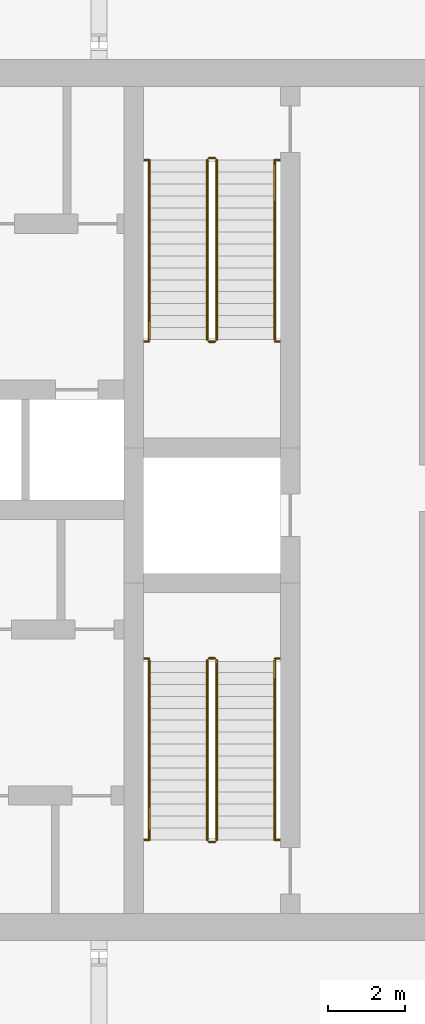
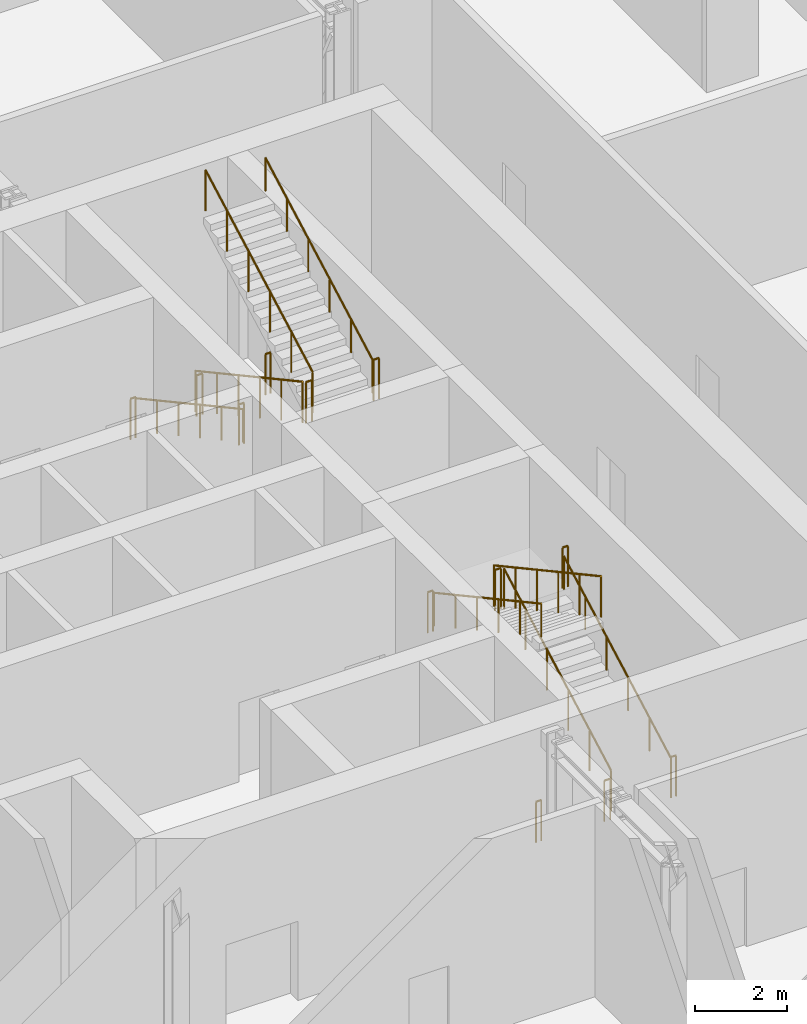
# One storey, part 21 of 22: 20 railings.
"""IFC4 building model written with IfcOpenShell, lengths in metres."""

from ifc_helpers import new_model, si_unit, direction, frame, origin, origin_2d, place, context, subcontext, project, spatial, circle, extrude, material, type_object, element, save


model = new_model("IFC4")

# Units and contexts
model_context = context("Model", 3, precision=1e-05, world=origin(), true_north=direction((0.0, 1.0)))
body_context = subcontext(model_context, "Body", "Model", "MODEL_VIEW")
ifc_project = project(units=[si_unit("LENGTHUNIT", "METRE"), si_unit("AREAUNIT", "SQUARE_METRE"), si_unit("VOLUMEUNIT", "CUBIC_METRE"), si_unit("PLANEANGLEUNIT", "RADIAN"), si_unit("MASSUNIT", "GRAM", prefix="KILO")], contexts=[model_context])

# Site, building, storey
site_placement = place(None, origin())
site = spatial("IfcSite", under=ifc_project, at=site_placement, CompositionType="ELEMENT")
building_placement = place(site_placement, origin())
building = spatial("IfcBuilding", under=site, at=building_placement, Name="Madar Terraces", CompositionType="ELEMENT")
storey_placement = place(building_placement, frame((0.0, 0.0, 203.39990234375)))
storey = spatial("IfcBuildingStorey", under=building, at=storey_placement, Name="L53", CompositionType="ELEMENT", Elevation=203.39990234375)

# Railings
ifc_material_1 = material(Name="Stainless steel railing", Category="steel")
railing_type_1 = type_object("IfcRailingType", Name="Stair guard 1100", PredefinedType="GUARDRAIL", material=ifc_material_1)
railing_1_placement = place(storey_placement, frame((41.199951171875, 35.199951171875, 0.1689453125)))
element("IfcRailing", 1, at=railing_1_placement, inside=storey, type_object=railing_type_1, Name="L53 ST2 stair guard 1", PredefinedType="GUARDRAIL", context=body_context, shape_type="SweptSolid", body=[
    extrude(circle(Radius=0.02392578125, at=origin_2d()), frame((0.0, 0.0, 1.076171875), z_axis=(0.0, -0.878297076953, 0.478115304728), x_axis=(1.0, 0.0, 0.0)), (0.0, 0.0, 1.0), 5.294189453125),
    extrude(circle(Radius=0.02099609375, at=origin_2d()), origin(), (0.0, 0.0, 1.0), 1.052001953125),
    extrude(circle(Radius=0.02099609375, at=origin_2d()), frame((0.0, -0.929931640625, 0.50634765625)), (0.0, 0.0, 1.0), 1.052001953125),
    extrude(circle(Radius=0.02099609375, at=origin_2d()), frame((0.0, -1.85986328125, 1.012451171875)), (0.0, 0.0, 1.0), 1.052001953125),
    extrude(circle(Radius=0.02099609375, at=origin_2d()), frame((0.0, -2.7900390625, 1.518798828125)), (0.0, 0.0, 1.0), 1.052001953125),
    extrude(circle(Radius=0.02099609375, at=origin_2d()), frame((0.0, -3.719970703125, 2.02490234375)), (0.0, 0.0, 1.0), 1.052001953125),
    extrude(circle(Radius=0.02099609375, at=origin_2d()), frame((0.0, -4.64990234375, 2.53125)), (0.0, 0.0, 1.0), 1.052001953125),
])
railing_2_placement = place(storey_placement, frame((41.25, 30.5, 2.7001953125)))
element("IfcRailing", 2, at=railing_2_placement, inside=storey, type_object=railing_type_1, Name="L53 ST2 stair guard 2", PredefinedType="GUARDRAIL", context=body_context, shape_type="SweptSolid", body=[
    extrude(circle(Radius=0.02392578125, at=origin_2d()), frame((0.0, 0.0, 1.076171875), z_axis=(1.0, 0.0, 0.0), x_axis=(0.0, 1.0, 0.0)), (0.0, 0.0, 1.0), 0.14990234375),
    extrude(circle(Radius=0.02099609375, at=origin_2d()), origin(), (0.0, 0.0, 1.0), 1.052001953125),
    extrude(circle(Radius=0.02099609375, at=origin_2d()), frame((0.14990234375, 0.0, 0.0)), (0.0, 0.0, 1.0), 1.052001953125),
])
railing_3_placement = place(storey_placement, frame((41.449951171875, 30.550048828125, 2.868896484375)))
element("IfcRailing", 3, at=railing_3_placement, inside=storey, type_object=railing_type_1, Name="L53 ST2 stair guard 3", PredefinedType="GUARDRAIL", context=body_context, shape_type="SweptSolid", body=[
    extrude(circle(Radius=0.02392578125, at=origin_2d()), frame((0.0, 0.0, 1.076171875), z_axis=(0.0, 0.878297076953, 0.478115304728), x_axis=(-1.0, 0.0, 0.0)), (0.0, 0.0, 1.0), 5.294189453125),
    extrude(circle(Radius=0.02099609375, at=origin_2d()), origin(), (0.0, 0.0, 1.0), 1.052001953125),
    extrude(circle(Radius=0.02099609375, at=origin_2d()), frame((0.0, 0.929931640625, 0.50634765625)), (0.0, 0.0, 1.0), 1.052001953125),
    extrude(circle(Radius=0.02099609375, at=origin_2d()), frame((0.0, 1.85986328125, 1.012451171875)), (0.0, 0.0, 1.0), 1.052001953125),
    extrude(circle(Radius=0.02099609375, at=origin_2d()), frame((0.0, 2.7900390625, 1.518798828125)), (0.0, 0.0, 1.0), 1.052001953125),
    extrude(circle(Radius=0.02099609375, at=origin_2d()), frame((0.0, 3.719970703125, 2.02490234375)), (0.0, 0.0, 1.0), 1.052001953125),
    extrude(circle(Radius=0.02099609375, at=origin_2d()), frame((0.0, 4.64990234375, 2.53125)), (0.0, 0.0, 1.0), 1.052001953125),
])
railing_4_placement = place(storey_placement, frame((41.25, 35.25, 0.0)))
element("IfcRailing", 4, at=railing_4_placement, inside=storey, type_object=railing_type_1, Name="L53 ST2 stair guard 4", PredefinedType="GUARDRAIL", context=body_context, shape_type="SweptSolid", body=[
    extrude(circle(Radius=0.02392578125, at=origin_2d()), frame((0.0, 0.0, 1.076171875), z_axis=(1.0, 0.0, 0.0), x_axis=(0.0, 1.0, 0.0)), (0.0, 0.0, 1.0), 0.14990234375),
    extrude(circle(Radius=0.02099609375, at=origin_2d()), origin(), (0.0, 0.0, 1.0), 1.052001953125),
    extrude(circle(Radius=0.02099609375, at=origin_2d()), frame((0.14990234375, 0.0, 0.0)), (0.0, 0.0, 1.0), 1.052001953125),
])
railing_5_placement = place(storey_placement, frame((41.449951171875, 17.60009765625, 0.1689453125)))
element("IfcRailing", 5, at=railing_5_placement, inside=storey, type_object=railing_type_1, Name="L53 ST3 stair guard 1", PredefinedType="GUARDRAIL", context=body_context, shape_type="SweptSolid", body=[
    extrude(circle(Radius=0.02392578125, at=origin_2d()), frame((0.0, 0.0, 1.076171875), z_axis=(0.0, 0.878297076953, 0.478115304728), x_axis=(-1.0, 0.0, 0.0)), (0.0, 0.0, 1.0), 5.294189453125),
    extrude(circle(Radius=0.02099609375, at=origin_2d()), origin(), (0.0, 0.0, 1.0), 1.052001953125),
    extrude(circle(Radius=0.02099609375, at=origin_2d()), frame((0.0, 0.929931640625, 0.50634765625)), (0.0, 0.0, 1.0), 1.052001953125),
    extrude(circle(Radius=0.02099609375, at=origin_2d()), frame((0.0, 1.85986328125, 1.012451171875)), (0.0, 0.0, 1.0), 1.052001953125),
    extrude(circle(Radius=0.02099609375, at=origin_2d()), frame((0.0, 2.7900390625, 1.518798828125)), (0.0, 0.0, 1.0), 1.052001953125),
    extrude(circle(Radius=0.02099609375, at=origin_2d()), frame((0.0, 3.719970703125, 2.02490234375)), (0.0, 0.0, 1.0), 1.052001953125),
    extrude(circle(Radius=0.02099609375, at=origin_2d()), frame((0.0, 4.64990234375, 2.53125)), (0.0, 0.0, 1.0), 1.052001953125),
])
railing_6_placement = place(storey_placement, frame((41.39990234375, 22.300048828125, 2.7001953125)))
element("IfcRailing", 6, at=railing_6_placement, inside=storey, type_object=railing_type_1, Name="L53 ST3 stair guard 2", PredefinedType="GUARDRAIL", context=body_context, shape_type="SweptSolid", body=[
    extrude(circle(Radius=0.02392578125, at=origin_2d()), frame((0.0, 0.0, 1.076171875), z_axis=(-1.0, 0.0, 0.0), x_axis=(0.0, -1.0, 0.0)), (0.0, 0.0, 1.0), 0.14990234375),
    extrude(circle(Radius=0.02099609375, at=origin_2d()), origin(), (0.0, 0.0, 1.0), 1.052001953125),
    extrude(circle(Radius=0.02099609375, at=origin_2d()), frame((-0.14990234375, 0.0, 0.0)), (0.0, 0.0, 1.0), 1.052001953125),
])
railing_7_placement = place(storey_placement, frame((41.199951171875, 22.25, 2.868896484375)))
element("IfcRailing", 7, at=railing_7_placement, inside=storey, type_object=railing_type_1, Name="L53 ST3 stair guard 3", PredefinedType="GUARDRAIL", context=body_context, shape_type="SweptSolid", body=[
    extrude(circle(Radius=0.02392578125, at=origin_2d()), frame((0.0, 0.0, 1.076171875), z_axis=(0.0, -0.878297076953, 0.478115304728), x_axis=(1.0, 0.0, 0.0)), (0.0, 0.0, 1.0), 5.294189453125),
    extrude(circle(Radius=0.02099609375, at=origin_2d()), origin(), (0.0, 0.0, 1.0), 1.052001953125),
    extrude(circle(Radius=0.02099609375, at=origin_2d()), frame((0.0, -0.929931640625, 0.50634765625)), (0.0, 0.0, 1.0), 1.052001953125),
    extrude(circle(Radius=0.02099609375, at=origin_2d()), frame((0.0, -1.85986328125, 1.012451171875)), (0.0, 0.0, 1.0), 1.052001953125),
    extrude(circle(Radius=0.02099609375, at=origin_2d()), frame((0.0, -2.7900390625, 1.518798828125)), (0.0, 0.0, 1.0), 1.052001953125),
    extrude(circle(Radius=0.02099609375, at=origin_2d()), frame((0.0, -3.719970703125, 2.02490234375)), (0.0, 0.0, 1.0), 1.052001953125),
    extrude(circle(Radius=0.02099609375, at=origin_2d()), frame((0.0, -4.64990234375, 2.53125)), (0.0, 0.0, 1.0), 1.052001953125),
])
railing_8_placement = place(storey_placement, frame((41.39990234375, 17.550048828125, 0.0)))
element("IfcRailing", 8, at=railing_8_placement, inside=storey, type_object=railing_type_1, Name="L53 ST3 stair guard 4", PredefinedType="GUARDRAIL", context=body_context, shape_type="SweptSolid", body=[
    extrude(circle(Radius=0.02392578125, at=origin_2d()), frame((0.0, 0.0, 1.076171875), z_axis=(-1.0, 0.0, 0.0), x_axis=(0.0, -1.0, 0.0)), (0.0, 0.0, 1.0), 0.14990234375),
    extrude(circle(Radius=0.02099609375, at=origin_2d()), origin(), (0.0, 0.0, 1.0), 1.052001953125),
    extrude(circle(Radius=0.02099609375, at=origin_2d()), frame((-0.14990234375, 0.0, 0.0)), (0.0, 0.0, 1.0), 1.052001953125),
])
railing_9_placement = place(storey_placement, frame((39.570068359375, 30.5, 2.7001953125)))
element("IfcRailing", 9, at=railing_9_placement, inside=storey, type_object=railing_type_1, Name="L53 stair guard seat 1", PredefinedType="GUARDRAIL", context=body_context, shape_type="SweptSolid", body=[
    extrude(circle(Radius=0.02392578125, at=origin_2d()), frame((0.0, 0.0, 1.076171875), z_axis=(1.0, 0.0, 0.0), x_axis=(0.0, 1.0, 0.0)), (0.0, 0.0, 1.0), 0.1298828125),
    extrude(circle(Radius=0.02099609375, at=origin_2d()), origin(), (0.0, 0.0, 1.0), 1.052001953125),
    extrude(circle(Radius=0.02099609375, at=origin_2d()), frame((0.1298828125, 0.0, 0.0)), (0.0, 0.0, 1.0), 1.052001953125),
])
railing_10_placement = place(storey_placement, frame((42.949951171875, 30.5, 2.7001953125)))
element("IfcRailing", 10, at=railing_10_placement, inside=storey, type_object=railing_type_1, Name="L53 stair guard seat 2", PredefinedType="GUARDRAIL", context=body_context, shape_type="SweptSolid", body=[
    extrude(circle(Radius=0.02392578125, at=origin_2d()), frame((0.0, 0.0, 1.076171875), z_axis=(1.0, 0.0, 0.0), x_axis=(0.0, 1.0, 0.0)), (0.0, 0.0, 1.0), 0.130126953125),
    extrude(circle(Radius=0.02099609375, at=origin_2d()), origin(), (0.0, 0.0, 1.0), 1.052001953125),
    extrude(circle(Radius=0.02099609375, at=origin_2d()), frame((0.130126953125, 0.0, 0.0)), (0.0, 0.0, 1.0), 1.052001953125),
])
railing_11_placement = place(storey_placement, frame((39.570068359375, 22.300048828125, 2.7001953125)))
element("IfcRailing", 11, at=railing_11_placement, inside=storey, type_object=railing_type_1, Name="L53 stair guard seat 1", PredefinedType="GUARDRAIL", context=body_context, shape_type="SweptSolid", body=[
    extrude(circle(Radius=0.02392578125, at=origin_2d()), frame((0.0, 0.0, 1.076171875), z_axis=(1.0, 0.0, 0.0), x_axis=(0.0, 1.0, 0.0)), (0.0, 0.0, 1.0), 0.1298828125),
    extrude(circle(Radius=0.02099609375, at=origin_2d()), origin(), (0.0, 0.0, 1.0), 1.052001953125),
    extrude(circle(Radius=0.02099609375, at=origin_2d()), frame((0.1298828125, 0.0, 0.0)), (0.0, 0.0, 1.0), 1.052001953125),
])
railing_12_placement = place(storey_placement, frame((42.949951171875, 22.300048828125, 2.7001953125)))
element("IfcRailing", 12, at=railing_12_placement, inside=storey, type_object=railing_type_1, Name="L53 stair guard seat 2", PredefinedType="GUARDRAIL", context=body_context, shape_type="SweptSolid", body=[
    extrude(circle(Radius=0.02392578125, at=origin_2d()), frame((0.0, 0.0, 1.076171875), z_axis=(1.0, 0.0, 0.0), x_axis=(0.0, 1.0, 0.0)), (0.0, 0.0, 1.0), 0.130126953125),
    extrude(circle(Radius=0.02099609375, at=origin_2d()), origin(), (0.0, 0.0, 1.0), 1.052001953125),
    extrude(circle(Radius=0.02099609375, at=origin_2d()), frame((0.130126953125, 0.0, 0.0)), (0.0, 0.0, 1.0), 1.052001953125),
])
railing_13_placement = place(storey_placement, frame((39.570068359375, 35.199951171875, 0.0)))
element("IfcRailing", 13, at=railing_13_placement, inside=storey, type_object=railing_type_1, Name="L53 stair guard floor 1", PredefinedType="GUARDRAIL", context=body_context, shape_type="SweptSolid", body=[
    extrude(circle(Radius=0.02392578125, at=origin_2d()), frame((0.0, 0.0, 1.076171875), z_axis=(1.0, 0.0, 0.0), x_axis=(0.0, 1.0, 0.0)), (0.0, 0.0, 1.0), 0.1298828125),
    extrude(circle(Radius=0.02099609375, at=origin_2d()), origin(), (0.0, 0.0, 1.0), 1.052001953125),
    extrude(circle(Radius=0.02099609375, at=origin_2d()), frame((0.1298828125, 0.0, 0.0)), (0.0, 0.0, 1.0), 1.052001953125),
])
railing_14_placement = place(storey_placement, frame((42.949951171875, 35.199951171875, 0.0)))
element("IfcRailing", 14, at=railing_14_placement, inside=storey, type_object=railing_type_1, Name="L53 stair guard floor 2", PredefinedType="GUARDRAIL", context=body_context, shape_type="SweptSolid", body=[
    extrude(circle(Radius=0.02392578125, at=origin_2d()), frame((0.0, 0.0, 1.076171875), z_axis=(1.0, 0.0, 0.0), x_axis=(0.0, 1.0, 0.0)), (0.0, 0.0, 1.0), 0.130126953125),
    extrude(circle(Radius=0.02099609375, at=origin_2d()), origin(), (0.0, 0.0, 1.0), 1.052001953125),
    extrude(circle(Radius=0.02099609375, at=origin_2d()), frame((0.130126953125, 0.0, 0.0)), (0.0, 0.0, 1.0), 1.052001953125),
])
railing_15_placement = place(storey_placement, frame((39.570068359375, 17.60009765625, 0.0)))
element("IfcRailing", 15, at=railing_15_placement, inside=storey, type_object=railing_type_1, Name="L53 stair guard floor 1", PredefinedType="GUARDRAIL", context=body_context, shape_type="SweptSolid", body=[
    extrude(circle(Radius=0.02392578125, at=origin_2d()), frame((0.0, 0.0, 1.076171875), z_axis=(1.0, 0.0, 0.0), x_axis=(0.0, 1.0, 0.0)), (0.0, 0.0, 1.0), 0.1298828125),
    extrude(circle(Radius=0.02099609375, at=origin_2d()), origin(), (0.0, 0.0, 1.0), 1.052001953125),
    extrude(circle(Radius=0.02099609375, at=origin_2d()), frame((0.1298828125, 0.0, 0.0)), (0.0, 0.0, 1.0), 1.052001953125),
])
railing_16_placement = place(storey_placement, frame((42.949951171875, 17.60009765625, 0.0)))
element("IfcRailing", 16, at=railing_16_placement, inside=storey, type_object=railing_type_1, Name="L53 stair guard floor 2", PredefinedType="GUARDRAIL", context=body_context, shape_type="SweptSolid", body=[
    extrude(circle(Radius=0.02392578125, at=origin_2d()), frame((0.0, 0.0, 1.076171875), z_axis=(1.0, 0.0, 0.0), x_axis=(0.0, 1.0, 0.0)), (0.0, 0.0, 1.0), 0.130126953125),
    extrude(circle(Radius=0.02099609375, at=origin_2d()), origin(), (0.0, 0.0, 1.0), 1.052001953125),
    extrude(circle(Radius=0.02099609375, at=origin_2d()), frame((0.130126953125, 0.0, 0.0)), (0.0, 0.0, 1.0), 1.052001953125),
])
ifc_material_2 = material(Name="Stainless steel railing", Category="steel")
railing_type_2 = type_object("IfcRailingType", Name="Stair handrail 900", PredefinedType="HANDRAIL", material=ifc_material_2)
railing_17_placement = place(storey_placement, frame((39.699951171875, 35.199951171875, 0.1689453125)))
element("IfcRailing", 17, at=railing_17_placement, inside=storey, type_object=railing_type_2, Name="L53 ST2 stair handrail 1", PredefinedType="HANDRAIL", context=body_context, shape_type="SweptSolid", body=[
    extrude(circle(Radius=0.02392578125, at=origin_2d()), frame((0.0, 0.0, 0.8759765625), z_axis=(0.0, -0.878297076953, 0.478115304728), x_axis=(1.0, 0.0, 0.0)), (0.0, 0.0, 1.0), 5.294189453125),
    extrude(circle(Radius=0.02099609375, at=origin_2d()), origin(), (0.0, 0.0, 1.0), 0.851806640625),
    extrude(circle(Radius=0.02099609375, at=origin_2d()), frame((0.0, -0.929931640625, 0.50634765625)), (0.0, 0.0, 1.0), 0.851806640625),
    extrude(circle(Radius=0.02099609375, at=origin_2d()), frame((0.0, -1.85986328125, 1.012451171875)), (0.0, 0.0, 1.0), 0.851806640625),
    extrude(circle(Radius=0.02099609375, at=origin_2d()), frame((0.0, -2.7900390625, 1.518798828125)), (0.0, 0.0, 1.0), 0.851806640625),
    extrude(circle(Radius=0.02099609375, at=origin_2d()), frame((0.0, -3.719970703125, 2.02490234375)), (0.0, 0.0, 1.0), 0.851806640625),
    extrude(circle(Radius=0.02099609375, at=origin_2d()), frame((0.0, -4.64990234375, 2.53125)), (0.0, 0.0, 1.0), 0.851806640625),
])
for number, where, name in (
    (18, (42.949951171875, 30.550048828125, 2.868896484375), "L53 ST2 stair handrail 2"),
    (19, (42.949951171875, 17.60009765625, 0.1689453125), "L53 ST3 stair handrail 1"),
):
    element("IfcRailing", number, at=place(storey_placement, frame(where)), inside=storey, type_object=railing_type_2, Name=name, PredefinedType="HANDRAIL", context=body_context, shape_type="SweptSolid", body=[
        extrude(circle(Radius=0.02392578125, at=origin_2d()), frame((0.0, 0.0, 0.8759765625), z_axis=(0.0, 0.878297076953, 0.478115304728), x_axis=(-1.0, 0.0, 0.0)), (0.0, 0.0, 1.0), 5.294189453125),
        extrude(circle(Radius=0.02099609375, at=origin_2d()), origin(), (0.0, 0.0, 1.0), 0.851806640625),
        extrude(circle(Radius=0.02099609375, at=origin_2d()), frame((0.0, 0.929931640625, 0.50634765625)), (0.0, 0.0, 1.0), 0.851806640625),
        extrude(circle(Radius=0.02099609375, at=origin_2d()), frame((0.0, 1.85986328125, 1.012451171875)), (0.0, 0.0, 1.0), 0.851806640625),
        extrude(circle(Radius=0.02099609375, at=origin_2d()), frame((0.0, 2.7900390625, 1.518798828125)), (0.0, 0.0, 1.0), 0.851806640625),
        extrude(circle(Radius=0.02099609375, at=origin_2d()), frame((0.0, 3.719970703125, 2.02490234375)), (0.0, 0.0, 1.0), 0.851806640625),
        extrude(circle(Radius=0.02099609375, at=origin_2d()), frame((0.0, 4.64990234375, 2.53125)), (0.0, 0.0, 1.0), 0.851806640625),
    ])
railing_18_placement = place(storey_placement, frame((39.699951171875, 22.25, 2.868896484375)))
element("IfcRailing", 20, at=railing_18_placement, inside=storey, type_object=railing_type_2, Name="L53 ST3 stair handrail 2", PredefinedType="HANDRAIL", context=body_context, shape_type="SweptSolid", body=[
    extrude(circle(Radius=0.02392578125, at=origin_2d()), frame((0.0, 0.0, 0.8759765625), z_axis=(0.0, -0.878297076953, 0.478115304728), x_axis=(1.0, 0.0, 0.0)), (0.0, 0.0, 1.0), 5.294189453125),
    extrude(circle(Radius=0.02099609375, at=origin_2d()), origin(), (0.0, 0.0, 1.0), 0.851806640625),
    extrude(circle(Radius=0.02099609375, at=origin_2d()), frame((0.0, -0.929931640625, 0.50634765625)), (0.0, 0.0, 1.0), 0.851806640625),
    extrude(circle(Radius=0.02099609375, at=origin_2d()), frame((0.0, -1.85986328125, 1.012451171875)), (0.0, 0.0, 1.0), 0.851806640625),
    extrude(circle(Radius=0.02099609375, at=origin_2d()), frame((0.0, -2.7900390625, 1.518798828125)), (0.0, 0.0, 1.0), 0.851806640625),
    extrude(circle(Radius=0.02099609375, at=origin_2d()), frame((0.0, -3.719970703125, 2.02490234375)), (0.0, 0.0, 1.0), 0.851806640625),
    extrude(circle(Radius=0.02099609375, at=origin_2d()), frame((0.0, -4.64990234375, 2.53125)), (0.0, 0.0, 1.0), 0.851806640625),
])

save(model, "model.ifc")
